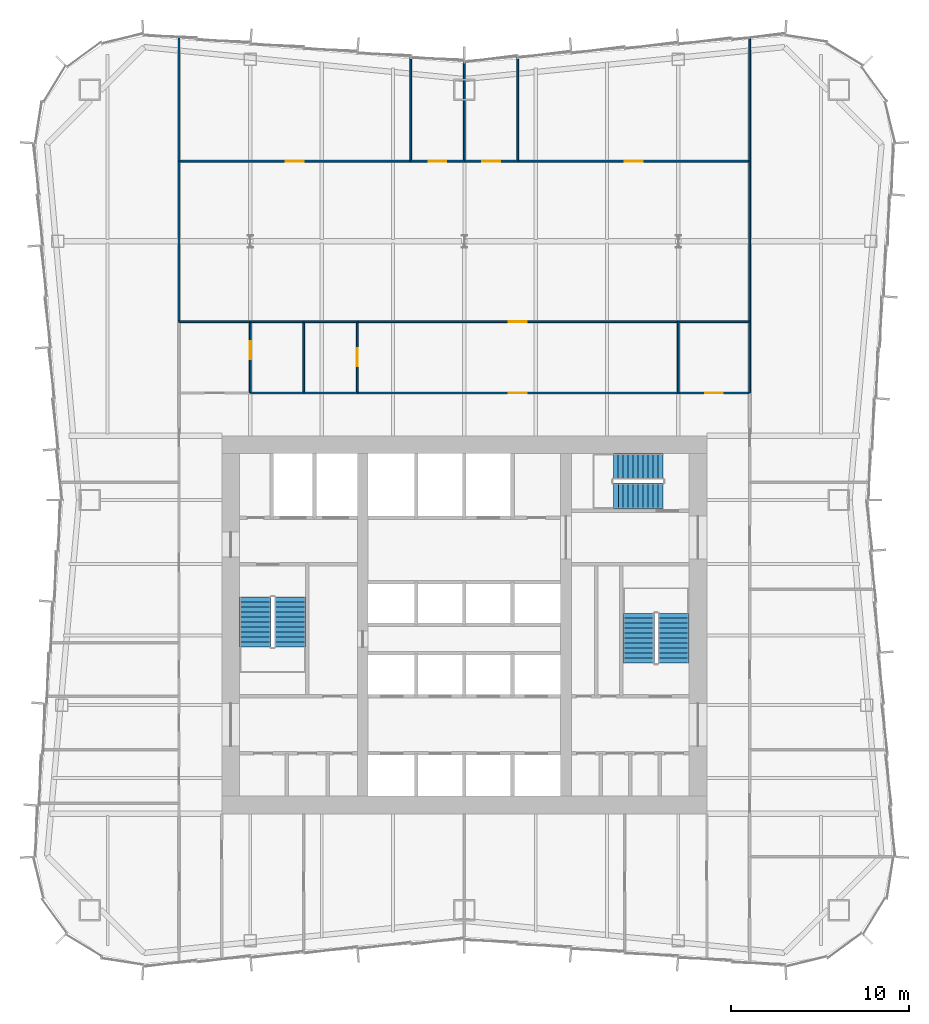
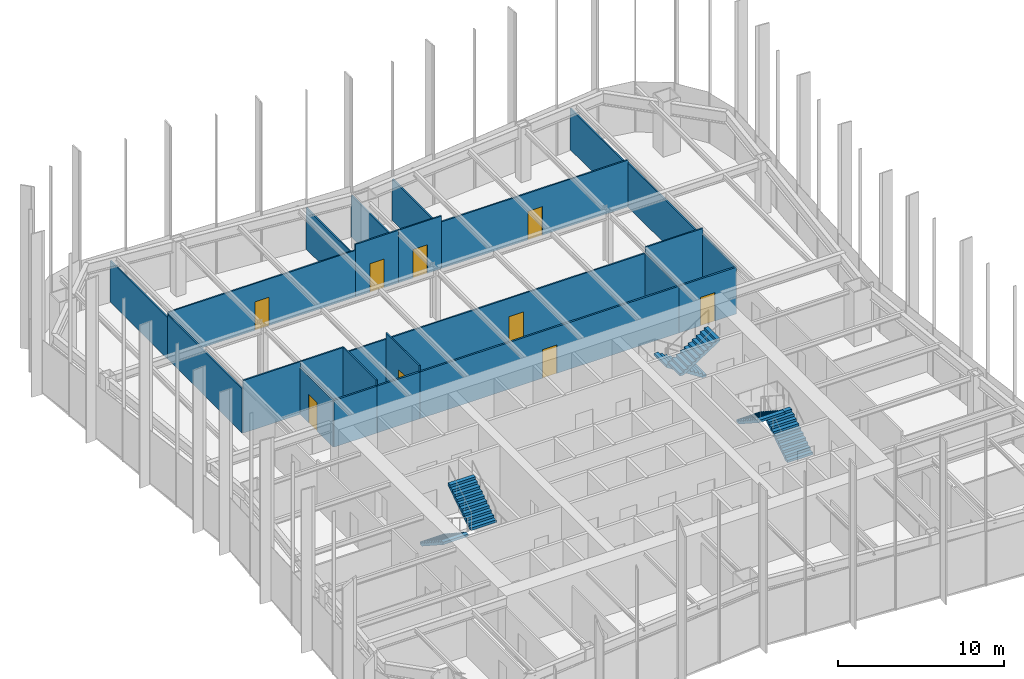
# One storey, part 12 of 13: 25 walls, 9 doors, 6 stair flights, 9 openings, 3 elements without a shape of their own.
"""IFC4 building model written with IfcOpenShell, lengths in metres."""

from ifc_helpers import new_model, si_unit, direction, frame, frame_2d, origin, place, context, subcontext, project, spatial, polyline, rectangle, outline, extrude, material, layer, layer_set, type_object, element, fill, aggregate, save


model = new_model("IFC4")

# Units and contexts
model_context = context("Model", 3, precision=1e-05, world=origin(), true_north=direction((0.0, 1.0)))
body_context = subcontext(model_context, "Body", "Model", "MODEL_VIEW")
ifc_project = project(units=[si_unit("LENGTHUNIT", "METRE"), si_unit("AREAUNIT", "SQUARE_METRE"), si_unit("VOLUMEUNIT", "CUBIC_METRE"), si_unit("PLANEANGLEUNIT", "RADIAN"), si_unit("MASSUNIT", "GRAM", prefix="KILO")], contexts=[model_context])

# Site, building, storey
site_placement = place(None, origin())
site = spatial("IfcSite", under=ifc_project, at=site_placement, CompositionType="ELEMENT")
building_placement = place(site_placement, origin())
building = spatial("IfcBuilding", under=site, at=building_placement, Name="Verdant Reach Tower", CompositionType="ELEMENT")
storey_placement = place(building_placement, frame((0.0, 0.0, 126.0)))
storey = spatial("IfcBuildingStorey", under=building, at=storey_placement, Name="L28", CompositionType="ELEMENT", Elevation=126.0)

# Walls
ifc_material_1 = material(Name="Gypsum board on steel studs", Category="steel")
ifc_layer_1 = layer(ifc_material_1, 0.10009765625)
ifc_layer_set_1 = layer_set([ifc_layer_1], Name="FL-W1 Partition 100")
wall_type_1 = type_object("IfcWallType", Name="FL-W1 Partition 100", PredefinedType="PARTITIONING", material=ifc_layer_set_1)
wall_1_placement = place(storey_placement, frame((-16.0, 45.0, 0.0), z_axis=(0.0, 0.0, 1.0), x_axis=(0.0, 1.0, 0.0)))
element("IfcWall", 1, at=wall_1_placement, inside=storey, type_object=wall_type_1, Name="Partition 28.25", PredefinedType="PARTITIONING", context=body_context, shape_type="SweptSolid", body=[
    extrude(rectangle(XDim=9.0, YDim=0.10009765625, at=frame_2d((4.5, 0.0))), origin(), (0.0, 0.0, 1.0), 3.239990234375),
])
wall_2_placement = place(storey_placement, frame((-16.0, 54.0, 0.0), z_axis=(0.0, 0.0, 1.0), x_axis=(0.0, 1.0, 0.0)))
element("IfcWall", 2, at=wall_2_placement, inside=storey, type_object=wall_type_1, Name="Partition 28.26", PredefinedType="PARTITIONING", context=body_context, shape_type="SweptSolid", body=[
    extrude(rectangle(XDim=6.913330078125, YDim=0.10009765625, at=frame_2d((3.45654296875, 0.0))), origin(), (0.0, 0.0, 1.0), 3.0400390625),
])
wall_3_placement = place(storey_placement, frame((16.0, 45.0, 0.0), z_axis=(0.0, 0.0, 1.0), x_axis=(0.0, -1.0, 0.0)))
element("IfcWall", 3, at=wall_3_placement, inside=storey, type_object=wall_type_1, Name="Partition 28.31", PredefinedType="PARTITIONING", context=body_context, shape_type="SweptSolid", body=[
    extrude(rectangle(XDim=4.0, YDim=0.10009765625, at=frame_2d((2.0, 0.0))), origin(), (0.0, 0.0, 1.0), 3.43994140625),
])
wall_4_placement = place(storey_placement, frame((16.0, 54.0, 0.0), z_axis=(0.0, 0.0, 1.0), x_axis=(0.0, -1.0, 0.0)))
element("IfcWall", 4, at=wall_4_placement, inside=storey, type_object=wall_type_1, Name="Partition 28.32", PredefinedType="PARTITIONING", context=body_context, shape_type="SweptSolid", body=[
    extrude(rectangle(XDim=9.0, YDim=0.10009765625, at=frame_2d((4.5, 0.0))), origin(), (0.0, 0.0, 1.0), 3.239990234375),
])
wall_5_placement = place(storey_placement, frame((16.0, 60.913330078125, 0.0), z_axis=(0.0, 0.0, 1.0), x_axis=(0.0, -1.0, 0.0)))
element("IfcWall", 5, at=wall_5_placement, inside=storey, type_object=wall_type_1, Name="Partition 28.33", PredefinedType="PARTITIONING", context=body_context, shape_type="SweptSolid", body=[
    extrude(rectangle(XDim=6.913330078125, YDim=0.10009765625, at=frame_2d((3.45654296875, 0.0))), origin(), (0.0, 0.0, 1.0), 3.0400390625),
])

# Wall, opening, door
wall_6_placement = place(storey_placement, frame((-12.0, 45.0, 0.0), z_axis=(0.0, 0.0, 1.0), x_axis=(0.0, -1.0, 0.0)))
wall_6 = element("IfcWall", 6, at=wall_6_placement, inside=storey, type_object=wall_type_1, Name="Partition 28.37", PredefinedType="PARTITIONING", context=body_context, shape_type="SweptSolid", body=[
    extrude(rectangle(XDim=4.0, YDim=0.10009765625, at=frame_2d((2.0, 0.0))), origin(), (0.0, 0.0, 1.0), 3.43994140625),
])
opening_1_placement = place(wall_6_placement, frame((1.10009765625, 0.0, 0.0)))
opening_1 = element("IfcOpeningElement", 7, at=opening_1_placement, cuts=wall_6, Name="Opening D3", PredefinedType="OPENING", context=body_context, shape_type="SweptSolid", body=[
    extrude(rectangle(XDim=1.0, YDim=2.10009765625, at=frame_2d((0.5, 1.050048828125))), frame((0.0, 0.06005859375, 0.0), z_axis=(0.0, -1.0, 0.0), x_axis=(1.0, 0.0, 0.0)), (0.0, 0.0, 1.0), 0.1201171875),
])
ifc_material_2 = material(Name="Painted timber door leaf", Category="wood")
door_type_1 = type_object("IfcDoorType", Name="FL-D3 Door 1000x2100", OperationType="NOTDEFINED", PredefinedType="DOOR", material=ifc_material_2)
door_1_placement = place(opening_1_placement, origin())
door_1 = element("IfcDoor", 8, at=door_1_placement, inside=storey, type_object=door_type_1, Name="Door 28-019", OperationType="SINGLE_SWING_LEFT", OverallHeight=2.10009765625, OverallWidth=1.0, PredefinedType="DOOR", context=body_context, shape_type="SweptSolid", body=[
    extrude(rectangle(XDim=1.0, YDim=2.10009765625, at=frame_2d((0.5, 1.050048828125))), frame((0.0, 0.02490234375, 0.0), z_axis=(0.0, -1.0, 0.0), x_axis=(1.0, 0.0, 0.0)), (0.0, 0.0, 1.0), 0.050048828125),
])
fill(opening_1, door_1)

# Walls
wall_7_placement = place(storey_placement, frame((-11.99609375, 45.0, 0.0), z_axis=(0.0, 0.0, 1.0), x_axis=(-1.0, 0.0, 0.0)))
element("IfcWall", 9, at=wall_7_placement, inside=storey, type_object=wall_type_1, Name="Partition 28.38", PredefinedType="PARTITIONING", context=body_context, shape_type="SweptSolid", body=[
    extrude(rectangle(XDim=4.00390625, YDim=0.10009765625, at=frame_2d((2.001953125, 0.0))), origin(), (0.0, 0.0, 1.0), 3.8701171875),
])
wall_8_placement = place(storey_placement, frame((-9.0, 41.0, 0.0), z_axis=(0.0, 0.0, 1.0), x_axis=(0.0, 1.0, 0.0)))
element("IfcWall", 10, at=wall_8_placement, inside=storey, type_object=wall_type_1, Name="Partition 28.39", PredefinedType="PARTITIONING", context=body_context, shape_type="SweptSolid", body=[
    extrude(rectangle(XDim=4.0, YDim=0.10009765625, at=frame_2d((2.0, 0.0))), origin(), (0.0, 0.0, 1.0), 3.8701171875),
])
wall_9_placement = place(storey_placement, frame((-8.99609375, 45.0, 0.0), z_axis=(0.0, 0.0, 1.0), x_axis=(-1.0, 0.0, 0.0)))
element("IfcWall", 11, at=wall_9_placement, inside=storey, type_object=wall_type_1, Name="Partition 28.40", PredefinedType="PARTITIONING", context=body_context, shape_type="SweptSolid", body=[
    extrude(rectangle(XDim=3.0078125, YDim=0.10009765625, at=frame_2d((1.50390625, 0.0))), origin(), (0.0, 0.0, 1.0), 3.8701171875),
])

# Wall, opening, door
wall_10_placement = place(storey_placement, frame((-6.0, 41.0, 0.0), z_axis=(0.0, 0.0, 1.0), x_axis=(0.0, 1.0, 0.0)))
wall_10 = element("IfcWall", 12, at=wall_10_placement, inside=storey, type_object=wall_type_1, Name="Partition 28.41", PredefinedType="PARTITIONING", context=body_context, shape_type="SweptSolid", body=[
    extrude(rectangle(XDim=4.0, YDim=0.10009765625, at=frame_2d((2.0, 0.0))), origin(), (0.0, 0.0, 1.0), 3.8701171875),
])
opening_2_placement = place(wall_10_placement, frame((1.5, 0.0, 0.0)))
opening_2 = element("IfcOpeningElement", 13, at=opening_2_placement, cuts=wall_10, Name="Opening D3", PredefinedType="OPENING", context=body_context, shape_type="SweptSolid", body=[
    extrude(rectangle(XDim=1.0, YDim=2.10009765625, at=frame_2d((0.5, 1.050048828125))), frame((0.0, 0.06005859375, 0.0), z_axis=(0.0, -1.0, 0.0), x_axis=(1.0, 0.0, 0.0)), (0.0, 0.0, 1.0), 0.1201171875),
])
door_2_placement = place(opening_2_placement, origin())
door_2 = element("IfcDoor", 14, at=door_2_placement, inside=storey, type_object=door_type_1, Name="Door 28-020", OperationType="SINGLE_SWING_RIGHT", OverallHeight=2.10009765625, OverallWidth=1.0, PredefinedType="DOOR", context=body_context, shape_type="SweptSolid", body=[
    extrude(rectangle(XDim=1.0, YDim=2.10009765625, at=frame_2d((0.5, 1.050048828125))), frame((0.0, 0.02490234375, 0.0), z_axis=(0.0, -1.0, 0.0), x_axis=(1.0, 0.0, 0.0)), (0.0, 0.0, 1.0), 0.050048828125),
])
fill(opening_2, door_2)

# Walls
wall_11_placement = place(storey_placement, frame((-5.99609375, 45.0, 0.0), z_axis=(0.0, 0.0, 1.0), x_axis=(-1.0, 0.0, 0.0)))
element("IfcWall", 15, at=wall_11_placement, inside=storey, type_object=wall_type_1, Name="Partition 28.42", PredefinedType="PARTITIONING", context=body_context, shape_type="SweptSolid", body=[
    extrude(rectangle(XDim=3.0078125, YDim=0.10009765625, at=frame_2d((1.50390625, 0.0))), origin(), (0.0, 0.0, 1.0), 3.43994140625),
])
wall_12_placement = place(storey_placement, frame((12.0, 41.0, 0.0), z_axis=(0.0, 0.0, 1.0), x_axis=(0.0, 1.0, 0.0)))
element("IfcWall", 16, at=wall_12_placement, inside=storey, type_object=wall_type_1, Name="Partition 28.43", PredefinedType="PARTITIONING", context=body_context, shape_type="SweptSolid", body=[
    extrude(rectangle(XDim=4.0, YDim=0.10009765625, at=frame_2d((2.0, 0.0))), origin(), (0.0, 0.0, 1.0), 3.43994140625),
])

# Wall, opening, door
wall_13_placement = place(storey_placement, frame((-6.00390625, 45.0, 0.0), z_axis=(0.0, 0.0, 1.0), x_axis=(1.0, 0.0, 0.0)))
wall_13 = element("IfcWall", 17, at=wall_13_placement, inside=storey, type_object=wall_type_1, Name="Partition 28.44", PredefinedType="PARTITIONING", context=body_context, shape_type="SweptSolid", body=[
    extrude(rectangle(XDim=18.0078125, YDim=0.10009765625, at=frame_2d((9.00390625, 0.0))), origin(), (0.0, 0.0, 1.0), 3.43994140625),
])
opening_3_placement = place(wall_13_placement, frame((8.50390625, 0.0, 0.0)))
opening_3 = element("IfcOpeningElement", 18, at=opening_3_placement, cuts=wall_13, Name="Opening D3", PredefinedType="OPENING", context=body_context, shape_type="SweptSolid", body=[
    extrude(rectangle(XDim=1.0, YDim=2.10009765625, at=frame_2d((0.5, 1.050048828125))), frame((0.0, 0.06005859375, 0.0), z_axis=(0.0, -1.0, 0.0), x_axis=(1.0, 0.0, 0.0)), (0.0, 0.0, 1.0), 0.1201171875),
])
door_3_placement = place(opening_3_placement, origin())
door_3 = element("IfcDoor", 19, at=door_3_placement, inside=storey, type_object=door_type_1, Name="Door 28-021", OperationType="SINGLE_SWING_LEFT", OverallHeight=2.10009765625, OverallWidth=1.0, PredefinedType="DOOR", context=body_context, shape_type="SweptSolid", body=[
    extrude(rectangle(XDim=1.0, YDim=2.10009765625, at=frame_2d((0.5, 1.050048828125))), frame((0.0, 0.02490234375, 0.0), z_axis=(0.0, -1.0, 0.0), x_axis=(1.0, 0.0, 0.0)), (0.0, 0.0, 1.0), 0.050048828125),
])
fill(opening_3, door_3)

# Wall
wall_14_placement = place(storey_placement, frame((16.0, 45.0, 0.0), z_axis=(0.0, 0.0, 1.0), x_axis=(-1.0, 0.0, 0.0)))
element("IfcWall", 20, at=wall_14_placement, inside=storey, type_object=wall_type_1, Name="Partition 28.45", PredefinedType="PARTITIONING", context=body_context, shape_type="SweptSolid", body=[
    extrude(rectangle(XDim=4.00390625, YDim=0.10009765625, at=frame_2d((2.001953125, 0.0))), origin(), (0.0, 0.0, 1.0), 3.8701171875),
])

# Wall, opening, door
wall_15_placement = place(storey_placement, frame((-16.0, 54.0, 0.0), z_axis=(0.0, 0.0, 1.0), x_axis=(1.0, 0.0, 0.0)))
wall_15 = element("IfcWall", 21, at=wall_15_placement, inside=storey, type_object=wall_type_1, Name="Partition 28.46", PredefinedType="PARTITIONING", context=body_context, shape_type="SweptSolid", body=[
    extrude(rectangle(XDim=13.0, YDim=0.10009765625, at=frame_2d((6.5, 0.0))), origin(), (0.0, 0.0, 1.0), 3.43994140625),
])
opening_4_placement = place(wall_15_placement, frame((6.0, 0.0, 0.0)))
opening_4 = element("IfcOpeningElement", 22, at=opening_4_placement, cuts=wall_15, Name="Opening D3", PredefinedType="OPENING", context=body_context, shape_type="SweptSolid", body=[
    extrude(rectangle(XDim=1.0, YDim=2.10009765625, at=frame_2d((0.5, 1.050048828125))), frame((0.0, 0.06005859375, 0.0), z_axis=(0.0, -1.0, 0.0), x_axis=(1.0, 0.0, 0.0)), (0.0, 0.0, 1.0), 0.1201171875),
])
door_4_placement = place(opening_4_placement, origin())
door_4 = element("IfcDoor", 23, at=door_4_placement, inside=storey, type_object=door_type_1, Name="Door 28-022", OperationType="SINGLE_SWING_RIGHT", OverallHeight=2.10009765625, OverallWidth=1.0, PredefinedType="DOOR", context=body_context, shape_type="SweptSolid", body=[
    extrude(rectangle(XDim=1.0, YDim=2.10009765625, at=frame_2d((0.5, 1.050048828125))), frame((0.0, 0.02490234375, 0.0), z_axis=(0.0, -1.0, 0.0), x_axis=(1.0, 0.0, 0.0)), (0.0, 0.0, 1.0), 0.050048828125),
])
fill(opening_4, door_4)

wall_16_placement = place(storey_placement, frame((-3.0, 54.0, 0.0), z_axis=(0.0, 0.0, 1.0), x_axis=(1.0, 0.0, 0.0)))
wall_16 = element("IfcWall", 24, at=wall_16_placement, inside=storey, type_object=wall_type_1, Name="Partition 28.47", PredefinedType="PARTITIONING", context=body_context, shape_type="SweptSolid", body=[
    extrude(rectangle(XDim=3.0, YDim=0.10009765625, at=frame_2d((1.5, 0.0))), origin(), (0.0, 0.0, 1.0), 3.8701171875),
])
opening_5_placement = place(wall_16_placement, frame((1.0, 0.0, 0.0)))
opening_5 = element("IfcOpeningElement", 25, at=opening_5_placement, cuts=wall_16, Name="Opening D3", PredefinedType="OPENING", context=body_context, shape_type="SweptSolid", body=[
    extrude(rectangle(XDim=1.0, YDim=2.10009765625, at=frame_2d((0.5, 1.050048828125))), frame((0.0, 0.06005859375, 0.0), z_axis=(0.0, -1.0, 0.0), x_axis=(1.0, 0.0, 0.0)), (0.0, 0.0, 1.0), 0.1201171875),
])
door_5_placement = place(opening_5_placement, origin())
door_5 = element("IfcDoor", 26, at=door_5_placement, inside=storey, type_object=door_type_1, Name="Door 28-023", OperationType="SINGLE_SWING_LEFT", OverallHeight=2.10009765625, OverallWidth=1.0, PredefinedType="DOOR", context=body_context, shape_type="SweptSolid", body=[
    extrude(rectangle(XDim=1.0, YDim=2.10009765625, at=frame_2d((0.5, 1.050048828125))), frame((0.0, 0.02490234375, 0.0), z_axis=(0.0, -1.0, 0.0), x_axis=(1.0, 0.0, 0.0)), (0.0, 0.0, 1.0), 0.050048828125),
])
fill(opening_5, door_5)

wall_17_placement = place(storey_placement, frame((0.0, 54.0, 0.0), z_axis=(0.0, 0.0, 1.0), x_axis=(1.0, 0.0, 0.0)))
wall_17 = element("IfcWall", 27, at=wall_17_placement, inside=storey, type_object=wall_type_1, Name="Partition 28.48", PredefinedType="PARTITIONING", context=body_context, shape_type="SweptSolid", body=[
    extrude(rectangle(XDim=3.0, YDim=0.10009765625, at=frame_2d((1.5, 0.0))), origin(), (0.0, 0.0, 1.0), 3.8701171875),
])
opening_6_placement = place(wall_17_placement, frame((1.0, 0.0, 0.0)))
opening_6 = element("IfcOpeningElement", 28, at=opening_6_placement, cuts=wall_17, Name="Opening D3", PredefinedType="OPENING", context=body_context, shape_type="SweptSolid", body=[
    extrude(rectangle(XDim=1.0, YDim=2.10009765625, at=frame_2d((0.5, 1.050048828125))), frame((0.0, 0.06005859375, 0.0), z_axis=(0.0, -1.0, 0.0), x_axis=(1.0, 0.0, 0.0)), (0.0, 0.0, 1.0), 0.1201171875),
])
door_6_placement = place(opening_6_placement, origin())
door_6 = element("IfcDoor", 29, at=door_6_placement, inside=storey, type_object=door_type_1, Name="Door 28-024", OperationType="SINGLE_SWING_RIGHT", OverallHeight=2.10009765625, OverallWidth=1.0, PredefinedType="DOOR", context=body_context, shape_type="SweptSolid", body=[
    extrude(rectangle(XDim=1.0, YDim=2.10009765625, at=frame_2d((0.5, 1.050048828125))), frame((0.0, 0.02490234375, 0.0), z_axis=(0.0, -1.0, 0.0), x_axis=(1.0, 0.0, 0.0)), (0.0, 0.0, 1.0), 0.050048828125),
])
fill(opening_6, door_6)

wall_18_placement = place(storey_placement, frame((3.0, 54.0, 0.0), z_axis=(0.0, 0.0, 1.0), x_axis=(1.0, 0.0, 0.0)))
wall_18 = element("IfcWall", 30, at=wall_18_placement, inside=storey, type_object=wall_type_1, Name="Partition 28.49", PredefinedType="PARTITIONING", context=body_context, shape_type="SweptSolid", body=[
    extrude(rectangle(XDim=13.0, YDim=0.10009765625, at=frame_2d((6.5, 0.0))), origin(), (0.0, 0.0, 1.0), 3.43994140625),
])
opening_7_placement = place(wall_18_placement, frame((6.0, 0.0, 0.0)))
opening_7 = element("IfcOpeningElement", 31, at=opening_7_placement, cuts=wall_18, Name="Opening D3", PredefinedType="OPENING", context=body_context, shape_type="SweptSolid", body=[
    extrude(rectangle(XDim=1.0, YDim=2.10009765625, at=frame_2d((0.5, 1.050048828125))), frame((0.0, 0.06005859375, 0.0), z_axis=(0.0, -1.0, 0.0), x_axis=(1.0, 0.0, 0.0)), (0.0, 0.0, 1.0), 0.1201171875),
])
door_7_placement = place(opening_7_placement, origin())
door_7 = element("IfcDoor", 32, at=door_7_placement, inside=storey, type_object=door_type_1, Name="Door 28-025", OperationType="SINGLE_SWING_LEFT", OverallHeight=2.10009765625, OverallWidth=1.0, PredefinedType="DOOR", context=body_context, shape_type="SweptSolid", body=[
    extrude(rectangle(XDim=1.0, YDim=2.10009765625, at=frame_2d((0.5, 1.050048828125))), frame((0.0, 0.02490234375, 0.0), z_axis=(0.0, -1.0, 0.0), x_axis=(1.0, 0.0, 0.0)), (0.0, 0.0, 1.0), 0.050048828125),
])
fill(opening_7, door_7)

# Walls
wall_19_placement = place(storey_placement, frame((-3.0, 54.0, 0.0), z_axis=(0.0, 0.0, 1.0), x_axis=(0.0, 1.0, 0.0)))
element("IfcWall", 33, at=wall_19_placement, inside=storey, type_object=wall_type_1, Name="Partition 28.50", PredefinedType="PARTITIONING", context=body_context, shape_type="SweptSolid", body=[
    extrude(rectangle(XDim=5.830078125, YDim=0.10009765625, at=frame_2d((2.9150390625, 0.0))), origin(), (0.0, 0.0, 1.0), 3.0400390625),
])
wall_20_placement = place(storey_placement, frame((0.0, 54.0, 0.0), z_axis=(0.0, 0.0, 1.0), x_axis=(0.0, 1.0, 0.0)))
element("IfcWall", 34, at=wall_20_placement, inside=storey, type_object=wall_type_1, Name="Partition 28.51", PredefinedType="PARTITIONING", context=body_context, shape_type="SweptSolid", body=[
    extrude(rectangle(XDim=5.580078125, YDim=0.10009765625, at=frame_2d((2.7900390625, 0.0))), origin(), (0.0, 0.0, 1.0), 3.0400390625),
])
wall_21_placement = place(storey_placement, frame((3.0, 54.0, 0.0), z_axis=(0.0, 0.0, 1.0), x_axis=(0.0, 1.0, 0.0)))
element("IfcWall", 35, at=wall_21_placement, inside=storey, type_object=wall_type_1, Name="Partition 28.52", PredefinedType="PARTITIONING", context=body_context, shape_type="SweptSolid", body=[
    extrude(rectangle(XDim=5.830078125, YDim=0.10009765625, at=frame_2d((2.9150390625, 0.0))), origin(), (0.0, 0.0, 1.0), 3.0400390625),
])
ifc_material_3 = material(Name="Gypsum board on steel studs, fire rated", Category="steel")
ifc_layer_2 = layer(ifc_material_3, 0.125)
ifc_layer_set_2 = layer_set([ifc_layer_2], Name="FL-W2 Corridor wall 125")
wall_type_2 = type_object("IfcWallType", Name="FL-W2 Corridor wall 125", PredefinedType="PARTITIONING", material=ifc_layer_set_2)
for number, where, z_axis, x_axis, name in (
    (36, (-9.0, 41.0, 0.0), (0.0, 0.0, 1.0), (-1.0, 0.0, 0.0), "Partition 28.15"),
    (37, (-6.0, 41.0, 0.0), (0.0, 0.0, 1.0), (-1.0, 0.0, 0.0), "Partition 28.16"),
):
    element("IfcWall", number, at=place(storey_placement, frame(where, z_axis=z_axis, x_axis=x_axis)), inside=storey, type_object=wall_type_2, Name=name, PredefinedType="PARTITIONING", context=body_context, shape_type="SweptSolid", body=[
        extrude(rectangle(XDim=3.0, YDim=0.125, at=frame_2d((1.5, 0.0))), origin(), (0.0, 0.0, 1.0), 3.43994140625),
    ])

# Wall, opening, door
wall_22_placement = place(storey_placement, frame((-6.0, 41.0, 0.0), z_axis=(0.0, 0.0, 1.0), x_axis=(1.0, 0.0, 0.0)))
wall_22 = element("IfcWall", 38, at=wall_22_placement, inside=storey, type_object=wall_type_2, Name="Partition 28.17", PredefinedType="PARTITIONING", context=body_context, shape_type="SweptSolid", body=[
    extrude(rectangle(XDim=18.0, YDim=0.125, at=frame_2d((9.0, 0.0))), origin(), (0.0, 0.0, 1.0), 3.43994140625),
])
opening_8_placement = place(wall_22_placement, frame((8.5, 0.0, 0.0)))
opening_8 = element("IfcOpeningElement", 39, at=opening_8_placement, cuts=wall_22, Name="Opening D2", PredefinedType="OPENING", context=body_context, shape_type="SweptSolid", body=[
    extrude(rectangle(XDim=1.0, YDim=2.10009765625, at=frame_2d((0.5, 1.050048828125))), frame((0.0, 0.072509765625, 0.0), z_axis=(0.0, -1.0, 0.0), x_axis=(1.0, 0.0, 0.0)), (0.0, 0.0, 1.0), 0.14501953125),
])
ifc_material_4 = material(Name="Timber door leaf, fire rated", Category="wood")
door_type_2 = type_object("IfcDoorType", Name="FL-D2 Entrance door 1000x2100 FD30", OperationType="NOTDEFINED", PredefinedType="DOOR", material=ifc_material_4)
door_8_placement = place(opening_8_placement, origin())
door_8 = element("IfcDoor", 40, at=door_8_placement, inside=storey, type_object=door_type_2, Name="Door 28-015", OperationType="SINGLE_SWING_LEFT", OverallHeight=2.10009765625, OverallWidth=1.0, PredefinedType="DOOR", context=body_context, shape_type="SweptSolid", body=[
    extrude(rectangle(XDim=1.0, YDim=2.10009765625, at=frame_2d((0.5, 1.050048828125))), frame((0.0, 0.02490234375, 0.0), z_axis=(0.0, -1.0, 0.0), x_axis=(1.0, 0.0, 0.0)), (0.0, 0.0, 1.0), 0.050048828125),
])
fill(opening_8, door_8)

wall_23_placement = place(storey_placement, frame((12.0, 41.0, 0.0), z_axis=(0.0, 0.0, 1.0), x_axis=(1.0, 0.0, 0.0)))
wall_23 = element("IfcWall", 41, at=wall_23_placement, inside=storey, type_object=wall_type_2, Name="Partition 28.18", PredefinedType="PARTITIONING", context=body_context, shape_type="SweptSolid", body=[
    extrude(rectangle(XDim=4.0, YDim=0.125, at=frame_2d((2.0, 0.0))), origin(), (0.0, 0.0, 1.0), 3.43994140625),
])
opening_9_placement = place(wall_23_placement, frame((1.5, 0.0, 0.0)))
opening_9 = element("IfcOpeningElement", 42, at=opening_9_placement, cuts=wall_23, Name="Opening D2", PredefinedType="OPENING", context=body_context, shape_type="SweptSolid", body=[
    extrude(rectangle(XDim=1.0, YDim=2.10009765625, at=frame_2d((0.5, 1.050048828125))), frame((0.0, 0.072509765625, 0.0), z_axis=(0.0, -1.0, 0.0), x_axis=(1.0, 0.0, 0.0)), (0.0, 0.0, 1.0), 0.14501953125),
])
door_9_placement = place(opening_9_placement, origin())
door_9 = element("IfcDoor", 43, at=door_9_placement, inside=storey, type_object=door_type_2, Name="Door 28-016", OperationType="SINGLE_SWING_RIGHT", OverallHeight=2.10009765625, OverallWidth=1.0, PredefinedType="DOOR", context=body_context, shape_type="SweptSolid", body=[
    extrude(rectangle(XDim=1.0, YDim=2.10009765625, at=frame_2d((0.5, 1.050048828125))), frame((0.0, 0.02490234375, 0.0), z_axis=(0.0, -1.0, 0.0), x_axis=(1.0, 0.0, 0.0)), (0.0, 0.0, 1.0), 0.050048828125),
])
fill(opening_9, door_9)

# Stair, stair flights
ifc_material_5 = material(Name="Concrete C40/50", Category="concrete")
stair_type = type_object("IfcStairType", Name="CO-STAIR", PredefinedType="HALF_TURN_STAIR", material=ifc_material_5)
stair_1_placement = place(storey_placement, origin())
stair_1 = element("IfcStair", 44, at=stair_1_placement, inside=storey, type_object=stair_type, Name="L28 Exit stair 1", PredefinedType="HALF_TURN_STAIR")
stair_flight_type = type_object("IfcStairFlightType", Name="CO-STAIR-FLIGHT", PredefinedType="STRAIGHT", material=ifc_material_5)
stair_flight_1_placement = place(storey_placement, frame((-11.72509765625, 29.550048828125, 0.0), z_axis=(0.0, 0.0, 1.0), x_axis=(0.0, -1.0, 0.0)))
stair_flight_1 = element("IfcStairFlight", 45, at=stair_flight_1_placement, type_object=stair_flight_type, Name="ST-1 flight 1", NumberOfRisers=11, NumberOfTreads=10, PredefinedType="STRAIGHT", RiserHeight=0.181818182, TreadLength=0.28, context=body_context, shape_type="SweptSolid", body=[
    extrude(outline(polyline([(0.0, 0.0), (0.0, 0.181884765625), (0.280029296875, 0.181884765625), (0.280029296875, 0.363525390625), (0.56005859375, 0.363525390625), (0.56005859375, 0.54541015625), (0.840087890625, 0.54541015625), (0.840087890625, 0.727294921875), (1.1201171875, 0.727294921875), (1.1201171875, 0.9091796875), (1.39990234375, 0.9091796875), (1.39990234375, 1.0908203125), (1.679931640625, 1.0908203125), (1.679931640625, 1.272705078125), (1.9599609375, 1.272705078125), (1.9599609375, 1.45458984375), (2.239990234375, 1.45458984375), (2.239990234375, 1.636474609375), (2.52001953125, 1.636474609375), (2.52001953125, 1.818115234375), (2.800048828125, 1.818115234375), (2.800048828125, 2.0), (2.800048828125, 1.639404296875), (0.275146484375, 0.0), (0.0, 0.0)])), frame((0.0, 0.875, 0.0), z_axis=(0.0, -1.0, 0.0), x_axis=(1.0, 0.0, 0.0)), (0.0, 0.0, 1.0), 1.75),
])
stair_flight_2_placement = place(storey_placement, frame((-9.77490234375, 26.75, 2.0), z_axis=(0.0, 0.0, 1.0), x_axis=(0.0, 1.0, 0.0)))
stair_flight_2 = element("IfcStairFlight", 46, at=stair_flight_2_placement, type_object=stair_flight_type, Name="ST-1 flight 2", NumberOfRisers=11, NumberOfTreads=10, PredefinedType="STRAIGHT", RiserHeight=0.181818182, TreadLength=0.28, context=body_context, shape_type="SweptSolid", body=[
    extrude(outline(polyline([(0.0, 0.0), (0.0, 0.181884765625), (0.280029296875, 0.181884765625), (0.280029296875, 0.363525390625), (0.56005859375, 0.363525390625), (0.56005859375, 0.54541015625), (0.840087890625, 0.54541015625), (0.840087890625, 0.727294921875), (1.1201171875, 0.727294921875), (1.1201171875, 0.9091796875), (1.39990234375, 0.9091796875), (1.39990234375, 1.0908203125), (1.679931640625, 1.0908203125), (1.679931640625, 1.272705078125), (1.9599609375, 1.272705078125), (1.9599609375, 1.45458984375), (2.239990234375, 1.45458984375), (2.239990234375, 1.636474609375), (2.52001953125, 1.636474609375), (2.52001953125, 1.818115234375), (2.800048828125, 1.818115234375), (2.800048828125, 2.0), (2.800048828125, 1.639404296875), (0.275146484375, 0.0), (0.0, 0.0)])), frame((0.0, 0.875, 0.0), z_axis=(0.0, -1.0, 0.0), x_axis=(1.0, 0.0, 0.0)), (0.0, 0.0, 1.0), 1.75),
])
aggregate(stair_1, [stair_flight_1, stair_flight_2])

stair_2_placement = place(storey_placement, origin())
stair_2 = element("IfcStair", 47, at=stair_2_placement, inside=storey, type_object=stair_type, Name="L28 Exit stair 2", PredefinedType="HALF_TURN_STAIR")
stair_flight_3_placement = place(storey_placement, frame((11.72509765625, 25.85009765625, 0.0), z_axis=(0.0, 0.0, 1.0), x_axis=(0.0, 1.0, 0.0)))
stair_flight_3 = element("IfcStairFlight", 48, at=stair_flight_3_placement, type_object=stair_flight_type, Name="ST-2 flight 1", NumberOfRisers=11, NumberOfTreads=10, PredefinedType="STRAIGHT", RiserHeight=0.181818182, TreadLength=0.28, context=body_context, shape_type="SweptSolid", body=[
    extrude(outline(polyline([(0.0, 0.0), (0.0, 0.181884765625), (0.280029296875, 0.181884765625), (0.280029296875, 0.363525390625), (0.56005859375, 0.363525390625), (0.56005859375, 0.54541015625), (0.840087890625, 0.54541015625), (0.840087890625, 0.727294921875), (1.1201171875, 0.727294921875), (1.1201171875, 0.9091796875), (1.39990234375, 0.9091796875), (1.39990234375, 1.0908203125), (1.679931640625, 1.0908203125), (1.679931640625, 1.272705078125), (1.9599609375, 1.272705078125), (1.9599609375, 1.45458984375), (2.239990234375, 1.45458984375), (2.239990234375, 1.636474609375), (2.52001953125, 1.636474609375), (2.52001953125, 1.818115234375), (2.800048828125, 1.818115234375), (2.800048828125, 2.0), (2.800048828125, 1.639404296875), (0.275146484375, 0.0), (0.0, 0.0)])), frame((0.0, 0.875, 0.0), z_axis=(0.0, -1.0, 0.0), x_axis=(1.0, 0.0, 0.0)), (0.0, 0.0, 1.0), 1.75),
])
stair_flight_4_placement = place(storey_placement, frame((9.77490234375, 28.64990234375, 2.0), z_axis=(0.0, 0.0, 1.0), x_axis=(0.0, -1.0, 0.0)))
stair_flight_4 = element("IfcStairFlight", 49, at=stair_flight_4_placement, type_object=stair_flight_type, Name="ST-2 flight 2", NumberOfRisers=11, NumberOfTreads=10, PredefinedType="STRAIGHT", RiserHeight=0.181818182, TreadLength=0.28, context=body_context, shape_type="SweptSolid", body=[
    extrude(outline(polyline([(0.0, 0.0), (0.0, 0.181884765625), (0.280029296875, 0.181884765625), (0.280029296875, 0.363525390625), (0.56005859375, 0.363525390625), (0.56005859375, 0.54541015625), (0.840087890625, 0.54541015625), (0.840087890625, 0.727294921875), (1.1201171875, 0.727294921875), (1.1201171875, 0.9091796875), (1.39990234375, 0.9091796875), (1.39990234375, 1.0908203125), (1.679931640625, 1.0908203125), (1.679931640625, 1.272705078125), (1.9599609375, 1.272705078125), (1.9599609375, 1.45458984375), (2.239990234375, 1.45458984375), (2.239990234375, 1.636474609375), (2.52001953125, 1.636474609375), (2.52001953125, 1.818115234375), (2.800048828125, 1.818115234375), (2.800048828125, 2.0), (2.800048828125, 1.639404296875), (0.275146484375, 0.0), (0.0, 0.0)])), frame((0.0, 0.875, 0.0), z_axis=(0.0, -1.0, 0.0), x_axis=(1.0, 0.0, 0.0)), (0.0, 0.0, 1.0), 1.75),
])
aggregate(stair_2, [stair_flight_3, stair_flight_4])

stair_3_placement = place(storey_placement, origin())
stair_3 = element("IfcStair", 50, at=stair_3_placement, inside=storey, type_object=stair_type, Name="L28 Exit stair 3", PredefinedType="HALF_TURN_STAIR")
stair_flight_5_placement = place(storey_placement, frame((11.14990234375, 36.875, 0.0), z_axis=(0.0, 0.0, 1.0), x_axis=(-1.0, 0.0, 0.0)))
stair_flight_5 = element("IfcStairFlight", 51, at=stair_flight_5_placement, type_object=stair_flight_type, Name="ST-3 flight 1", NumberOfRisers=11, NumberOfTreads=10, PredefinedType="STRAIGHT", RiserHeight=0.181818182, TreadLength=0.28, context=body_context, shape_type="SweptSolid", body=[
    extrude(outline(polyline([(0.0, 0.0), (0.0, 0.181884765625), (0.280029296875, 0.181884765625), (0.280029296875, 0.363525390625), (0.56005859375, 0.363525390625), (0.56005859375, 0.54541015625), (0.840087890625, 0.54541015625), (0.840087890625, 0.727294921875), (1.1201171875, 0.727294921875), (1.1201171875, 0.9091796875), (1.39990234375, 0.9091796875), (1.39990234375, 1.0908203125), (1.679931640625, 1.0908203125), (1.679931640625, 1.272705078125), (1.9599609375, 1.272705078125), (1.9599609375, 1.45458984375), (2.239990234375, 1.45458984375), (2.239990234375, 1.636474609375), (2.52001953125, 1.636474609375), (2.52001953125, 1.818115234375), (2.800048828125, 1.818115234375), (2.800048828125, 2.0), (2.800048828125, 1.639404296875), (0.275146484375, 0.0), (0.0, 0.0)])), frame((0.0, 0.72509765625, 0.0), z_axis=(0.0, -1.0, 0.0), x_axis=(1.0, 0.0, 0.0)), (0.0, 0.0, 1.0), 1.449951171875),
])
stair_flight_6_placement = place(storey_placement, frame((8.35009765625, 35.22509765625, 2.0), z_axis=(0.0, 0.0, 1.0), x_axis=(1.0, 0.0, 0.0)))
stair_flight_6 = element("IfcStairFlight", 52, at=stair_flight_6_placement, type_object=stair_flight_type, Name="ST-3 flight 2", NumberOfRisers=11, NumberOfTreads=10, PredefinedType="STRAIGHT", RiserHeight=0.181818182, TreadLength=0.28, context=body_context, shape_type="SweptSolid", body=[
    extrude(outline(polyline([(0.0, 0.0), (0.0, 0.181884765625), (0.280029296875, 0.181884765625), (0.280029296875, 0.363525390625), (0.56005859375, 0.363525390625), (0.56005859375, 0.54541015625), (0.840087890625, 0.54541015625), (0.840087890625, 0.727294921875), (1.1201171875, 0.727294921875), (1.1201171875, 0.9091796875), (1.39990234375, 0.9091796875), (1.39990234375, 1.0908203125), (1.679931640625, 1.0908203125), (1.679931640625, 1.272705078125), (1.9599609375, 1.272705078125), (1.9599609375, 1.45458984375), (2.239990234375, 1.45458984375), (2.239990234375, 1.636474609375), (2.52001953125, 1.636474609375), (2.52001953125, 1.818115234375), (2.800048828125, 1.818115234375), (2.800048828125, 2.0), (2.800048828125, 1.639404296875), (0.275146484375, 0.0), (0.0, 0.0)])), frame((0.0, 0.72509765625, 0.0), z_axis=(0.0, -1.0, 0.0), x_axis=(1.0, 0.0, 0.0)), (0.0, 0.0, 1.0), 1.449951171875),
])
aggregate(stair_3, [stair_flight_5, stair_flight_6])

save(model, "model.ifc")
